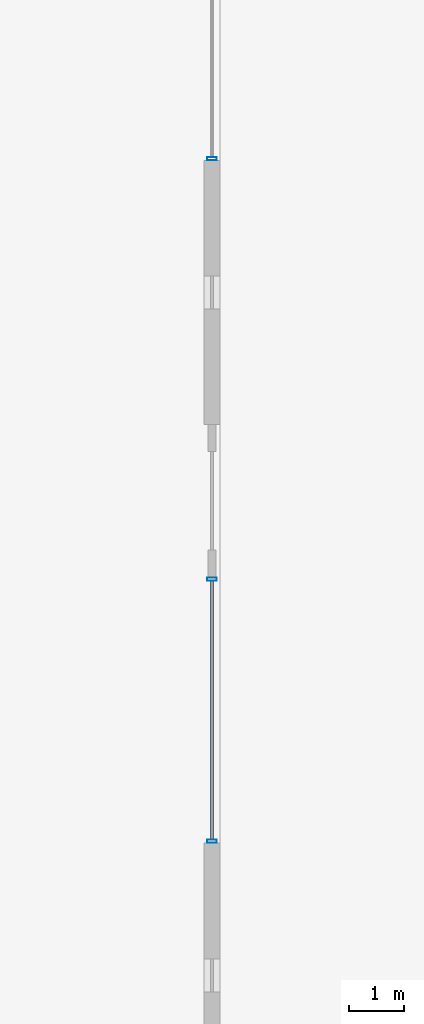
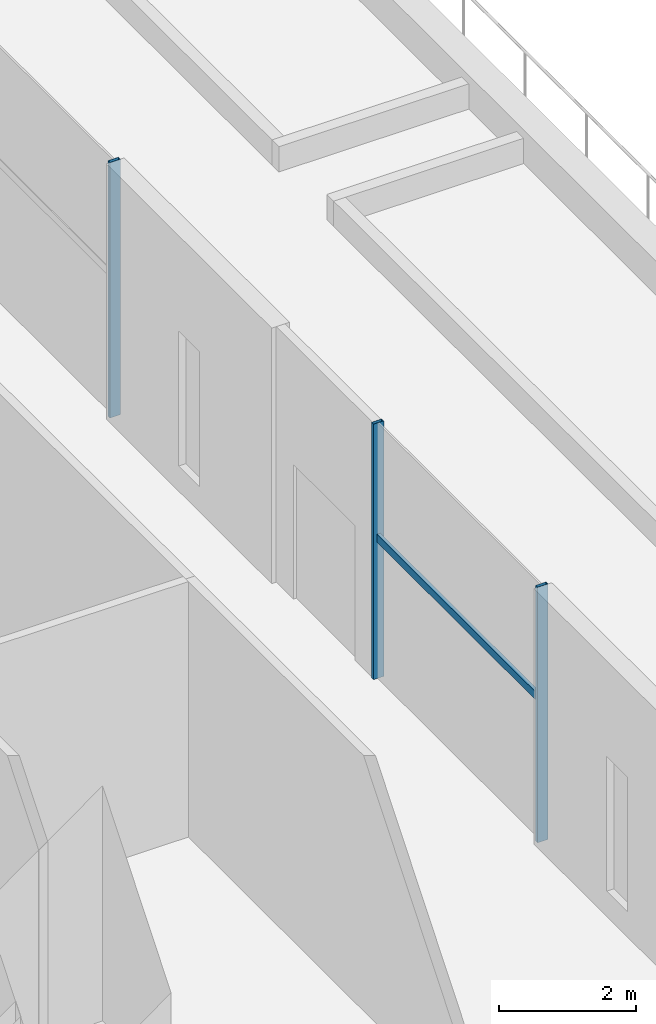
# One storey, part 15 of 49: 4 members, 2 elements without a shape of their own.
"""IFC4 building model written with IfcOpenShell, lengths in metres."""

from ifc_helpers import new_model, si_unit, direction, frame, origin, origin_2d, place, context, subcontext, project, spatial, hollow_rectangle, extrude, material, material_profile, profile_set, type_object, element, aggregate, save


model = new_model("IFC4")

# Units and contexts
model_context = context("Model", 3, precision=1e-05, world=origin(), true_north=direction((0.0, 1.0)))
body_context = subcontext(model_context, "Body", "Model", "MODEL_VIEW")
ifc_project = project(units=[si_unit("LENGTHUNIT", "METRE"), si_unit("AREAUNIT", "SQUARE_METRE"), si_unit("VOLUMEUNIT", "CUBIC_METRE"), si_unit("PLANEANGLEUNIT", "RADIAN"), si_unit("MASSUNIT", "GRAM", prefix="KILO")], contexts=[model_context])

# Site, building, storey
site_placement = place(None, origin())
site = spatial("IfcSite", under=ifc_project, at=site_placement, CompositionType="ELEMENT")
building_placement = place(site_placement, origin())
building = spatial("IfcBuilding", under=site, at=building_placement, Name="Altepetl Exchange Towers", CompositionType="ELEMENT")
storey_placement = place(building_placement, frame((0.0, 0.0, 11.5)))
storey = spatial("IfcBuildingStorey", under=building, at=storey_placement, Name="L02 Exchange podium", CompositionType="ELEMENT", Elevation=11.5)

# Curtain wall, members
ifc_material_1 = material(Name="Aluminium 6063-T6 glazing", Category="aluminium")
curtain_wall_type = type_object("IfcCurtainWallType", Name="Podium storefront system", PredefinedType="NOTDEFINED", material=ifc_material_1)
curtain_wall_1_placement = place(storey_placement, origin())
curtain_wall_1 = element("IfcCurtainWall", 1, at=curtain_wall_1_placement, inside=storey, type_object=curtain_wall_type, Name="CW5 run", PredefinedType="NOTDEFINED")
ifc_material_2 = material(Name="Aluminium 6063-T6", Category="aluminium")
ifc_material_profile_1 = material_profile(ifc_material_2, hollow_rectangle(XDim=0.06005859375, YDim=0.175048828125, WallThickness=0.0029296875, at=origin_2d()), Name="Mullion 60x175 aluminium")
ifc_profile_set_1 = profile_set([ifc_material_profile_1], Name="Aluminium 6063-T6")
member_type_1 = type_object("IfcMemberType", Name="Mullion 60x175 aluminium", PredefinedType="MULLION", material=ifc_profile_set_1)
member_1_placement = place(storey_placement, frame((134.85009765625, 55.780029296875, 0.0), z_axis=(0.0, 0.0, 1.0), x_axis=(0.0, 1.0, 0.0)))
member_1 = element("IfcMember", 2, at=member_1_placement, type_object=member_type_1, Name="MU4 mullion", PredefinedType="MULLION", context=body_context, shape_type="SweptSolid", body=[
    extrude(hollow_rectangle(XDim=0.06005859375, YDim=0.175048828125, WallThickness=0.0029296875, at=origin_2d()), origin(), (0.0, 0.0, 1.0), 4.550048828125),
])
member_2_placement = place(storey_placement, frame((134.85009765625, 60.570068359375, 0.0), z_axis=(0.0, 0.0, 1.0), x_axis=(0.0, 1.0, 0.0)))
member_2 = element("IfcMember", 3, at=member_2_placement, type_object=member_type_1, Name="MU4 mullion", PredefinedType="MULLION", context=body_context, shape_type="SweptSolid", body=[
    extrude(hollow_rectangle(XDim=0.06005859375, YDim=0.175048828125, WallThickness=0.0029296875, at=origin_2d()), origin(), (0.0, 0.0, 1.0), 4.550048828125),
])

# Curtain wall, member
curtain_wall_2_placement = place(storey_placement, origin())
curtain_wall_2 = element("IfcCurtainWall", 4, at=curtain_wall_2_placement, inside=storey, type_object=curtain_wall_type, Name="CW5 run", PredefinedType="NOTDEFINED")
member_3_placement = place(storey_placement, frame((134.85009765625, 68.2548828125, 0.0), z_axis=(0.0, 0.0, 1.0), x_axis=(0.0, 1.0, 0.0)))
member_3 = element("IfcMember", 5, at=member_3_placement, type_object=member_type_1, Name="MU4 mullion", PredefinedType="MULLION", context=body_context, shape_type="SweptSolid", body=[
    extrude(hollow_rectangle(XDim=0.06005859375, YDim=0.175048828125, WallThickness=0.0029296875, at=origin_2d()), origin(), (0.0, 0.0, 1.0), 4.550048828125),
])
aggregate(curtain_wall_2, [member_3])

# Member
ifc_material_profile_2 = material_profile(ifc_material_2, hollow_rectangle(XDim=0.06005859375, YDim=0.139892578125, WallThickness=0.0029296875, at=origin_2d()), Name="Transom 60x140 aluminium")
ifc_profile_set_2 = profile_set([ifc_material_profile_2], Name="Aluminium 6063-T6")
member_type_2 = type_object("IfcMemberType", Name="Transom 60x140 aluminium", PredefinedType="USERDEFINED", material=ifc_profile_set_2)
member_4_placement = place(storey_placement, frame((134.85009765625, 55.81005859375, 2.5), z_axis=(0.0, 1.0, 0.0), x_axis=(-1.0, 0.0, 0.0)))
member_4 = element("IfcMember", 6, at=member_4_placement, type_object=member_type_2, Name="TR3 transom", ObjectType="TRANSOM", PredefinedType="USERDEFINED", context=body_context, shape_type="SweptSolid", body=[
    extrude(hollow_rectangle(XDim=0.06005859375, YDim=0.139892578125, WallThickness=0.0029296875, at=origin_2d()), origin(), (0.0, 0.0, 1.0), 4.72998046875),
])

aggregate(curtain_wall_1, [member_1, member_2, member_4])

save(model, "model.ifc")
